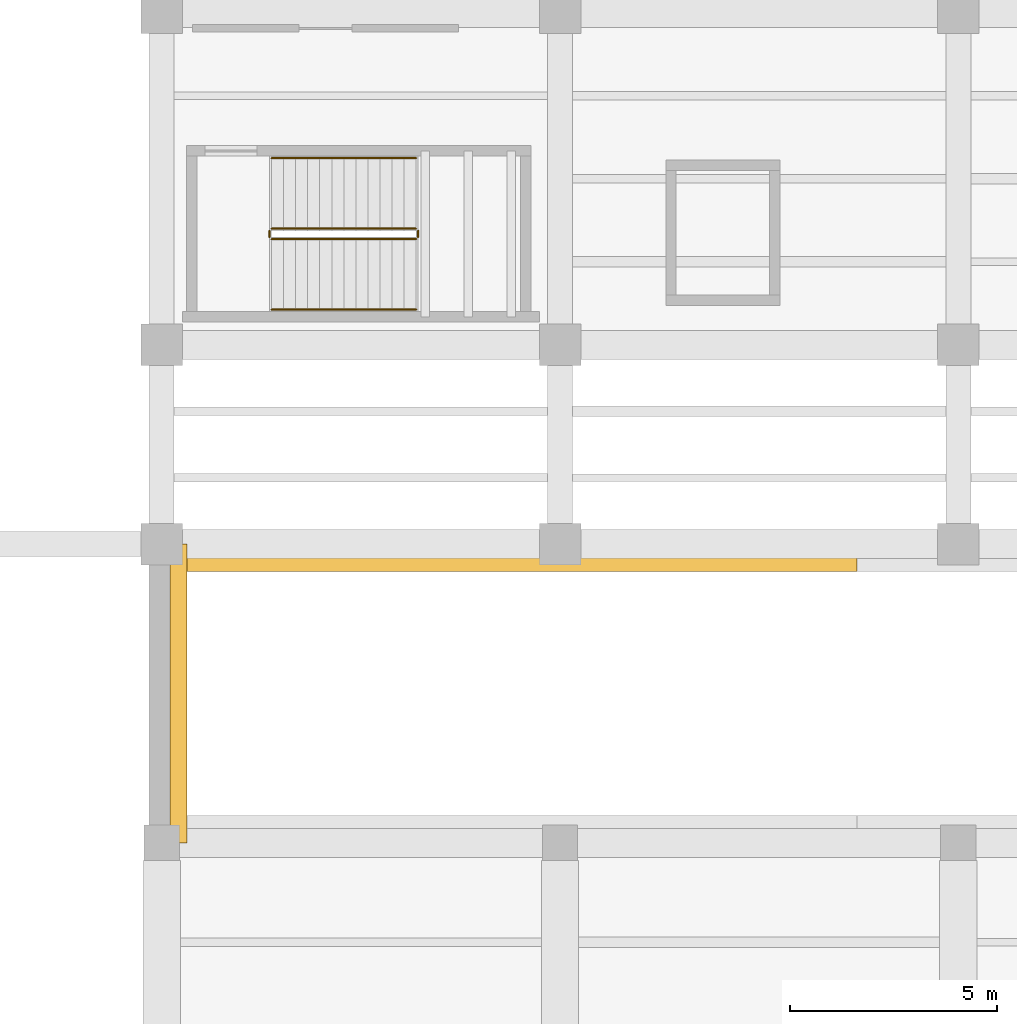
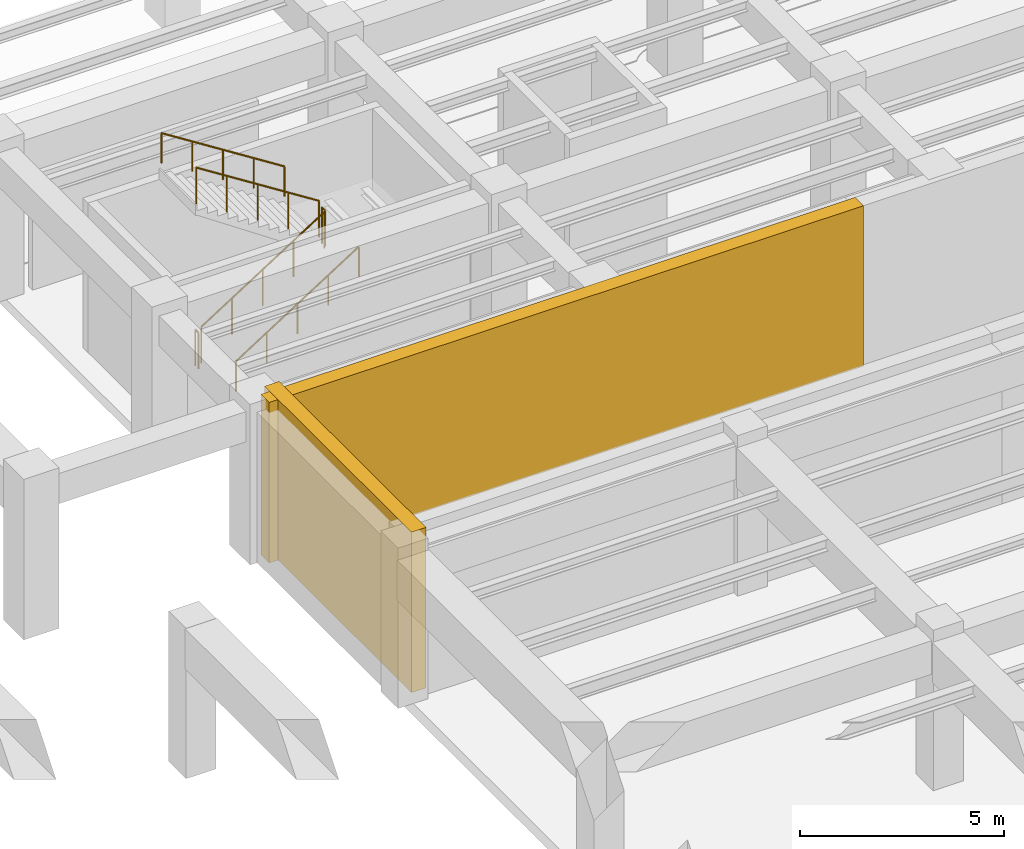
# One storey, part 39 of 45: 6 railings, 2 coverings.
"""IFC4 building model written with IfcOpenShell, lengths in metres."""

from ifc_helpers import new_model, si_unit, direction, frame, origin, origin_2d, place, context, subcontext, project, spatial, polyline, circle, outline, extrude, material, layer, layer_set, type_object, element, save


model = new_model("IFC4")

# Units and contexts
model_context = context("Model", 3, precision=1e-05, world=origin(), true_north=direction((0.0, 1.0)))
body_context = subcontext(model_context, "Body", "Model", "MODEL_VIEW")
ifc_project = project(units=[si_unit("LENGTHUNIT", "METRE"), si_unit("AREAUNIT", "SQUARE_METRE"), si_unit("VOLUMEUNIT", "CUBIC_METRE"), si_unit("PLANEANGLEUNIT", "RADIAN"), si_unit("MASSUNIT", "GRAM", prefix="KILO")], contexts=[model_context])

# Site, building, storey
site_placement = place(None, origin())
site = spatial("IfcSite", under=ifc_project, at=site_placement, CompositionType="ELEMENT")
building_placement = place(site_placement, origin())
building = spatial("IfcBuilding", under=site, at=building_placement, Name="Mavantir Sound Aquarium", CompositionType="ELEMENT")
storey_placement = place(building_placement, frame((0.0, 0.0, -4.800048828125)))
storey = spatial("IfcBuildingStorey", under=building, at=storey_placement, Name="B1", CompositionType="ELEMENT", Elevation=-4.800048828125)

# Coverings
ifc_material_1 = material(Name="Honed Coral-Limestone & Glazed Terracotta Rainscreen Cladding", Category="masonry")
ifc_layer = layer(ifc_material_1, 0.06005859375, Name="Honed Coral-Limestone & Glazed Terracotta Rainscreen Cladding")
ifc_layer_set = layer_set([ifc_layer], Name="Honed Coral-Limestone & Glazed Terracotta Rainscreen Cladding")
covering_type = type_object("IfcCoveringType", Name="COV-CLAD-TC", PredefinedType="CLADDING", material=ifc_layer_set)
covering_1_placement = place(storey_placement, origin())
element("IfcCovering", 1, at=covering_1_placement, inside=storey, type_object=covering_type, Name="B1 rusticated coral-stone plinth cladding 7", PredefinedType="CLADDING", context=body_context, shape_type="SweptSolid", body=[
    extrude(outline(polyline([(108.199951171875, 28.800048828125), (108.199951171875, 36.0), (108.610107421875, 36.0), (108.610107421875, 28.800048828125), (108.199951171875, 28.800048828125)])), origin(), (0.0, 0.0, 1.0), 4.800048828125),
])
covering_2_placement = place(storey_placement, origin())
element("IfcCovering", 2, at=covering_2_placement, inside=storey, type_object=covering_type, Name="B1 rusticated coral-stone plinth cladding 8", PredefinedType="CLADDING", context=body_context, shape_type="SweptSolid", body=[
    extrude(outline(polyline([(107.949951171875, 35.75), (124.762451171875, 35.75), (124.762451171875, 35.340087890625), (107.949951171875, 35.340087890625), (107.949951171875, 35.75)])), origin(), (0.0, 0.0, 1.0), 4.800048828125),
])

# Railings
ifc_material_2 = material(Name="Stainless Steel 316 and Laminated Glass Guardrail", Category="steel")
railing_type_1 = type_object("IfcRailingType", Name="RL-GUARD-110", PredefinedType="GUARDRAIL", material=ifc_material_2)
railing_1_placement = place(storey_placement, frame((110.64990234375, 43.35009765625, 0.1845703125)))
element("IfcRailing", 3, at=railing_1_placement, inside=storey, type_object=railing_type_1, Name="B1 ST4 stair guard 1", PredefinedType="GUARDRAIL", context=body_context, shape_type="SweptSolid", body=[
    extrude(circle(Radius=0.02392578125, at=origin_2d()), frame((0.0, 0.0, 1.076171875), z_axis=(0.843546938479, 0.0, 0.53705545578), x_axis=(0.0, 1.0, 0.0)), (0.0, 0.0, 1.0), 4.12548828125),
    extrude(circle(Radius=0.02099609375, at=origin_2d()), origin(), (0.0, 0.0, 1.0), 1.052001953125),
    extrude(circle(Radius=0.02099609375, at=origin_2d()), frame((0.8701171875, 0.0, 0.553955078125)), (0.0, 0.0, 1.0), 1.052001953125),
    extrude(circle(Radius=0.02099609375, at=origin_2d()), frame((1.739990234375, 0.0, 1.10791015625)), (0.0, 0.0, 1.0), 1.052001953125),
    extrude(circle(Radius=0.02099609375, at=origin_2d()), frame((2.60986328125, 0.0, 1.66162109375)), (0.0, 0.0, 1.0), 1.052001953125),
    extrude(circle(Radius=0.02099609375, at=origin_2d()), frame((3.47998046875, 0.0, 2.215576171875)), (0.0, 0.0, 1.0), 1.052001953125),
])
railing_2_placement = place(storey_placement, frame((114.179931640625, 43.39990234375, 2.400146484375)))
element("IfcRailing", 4, at=railing_2_placement, inside=storey, type_object=railing_type_1, Name="B1 ST4 stair guard 2", PredefinedType="GUARDRAIL", context=body_context, shape_type="SweptSolid", body=[
    extrude(circle(Radius=0.02392578125, at=origin_2d()), frame((0.0, 0.0, 1.076171875), z_axis=(0.0, 1.0, 0.0), x_axis=(-1.0, 0.0, 0.0)), (0.0, 0.0, 1.0), 0.150146484375),
    extrude(circle(Radius=0.02099609375, at=origin_2d()), origin(), (0.0, 0.0, 1.0), 1.052001953125),
    extrude(circle(Radius=0.02099609375, at=origin_2d()), frame((0.0, 0.150146484375, 0.0)), (0.0, 0.0, 1.0), 1.052001953125),
])
railing_3_placement = place(storey_placement, frame((114.1298828125, 43.60009765625, 2.584716796875)))
element("IfcRailing", 5, at=railing_3_placement, inside=storey, type_object=railing_type_1, Name="B1 ST4 stair guard 3", PredefinedType="GUARDRAIL", context=body_context, shape_type="SweptSolid", body=[
    extrude(circle(Radius=0.02392578125, at=origin_2d()), frame((0.0, 0.0, 1.076171875), z_axis=(-0.843573748531, 0.0, 0.537013343214), x_axis=(0.0, -1.0, 0.0)), (0.0, 0.0, 1.0), 4.125244140625),
    extrude(circle(Radius=0.02099609375, at=origin_2d()), origin(), (0.0, 0.0, 1.0), 1.052001953125),
    extrude(circle(Radius=0.02099609375, at=origin_2d()), frame((-0.8701171875, 0.0, 0.5537109375)), (0.0, 0.0, 1.0), 1.052001953125),
    extrude(circle(Radius=0.02099609375, at=origin_2d()), frame((-1.739990234375, 0.0, 1.107666015625)), (0.0, 0.0, 1.0), 1.052001953125),
    extrude(circle(Radius=0.02099609375, at=origin_2d()), frame((-2.60986328125, 0.0, 1.66162109375)), (0.0, 0.0, 1.0), 1.052001953125),
    extrude(circle(Radius=0.02099609375, at=origin_2d()), frame((-3.47998046875, 0.0, 2.21533203125)), (0.0, 0.0, 1.0), 1.052001953125),
])
railing_4_placement = place(storey_placement, frame((110.60009765625, 43.39990234375, 0.0)))
element("IfcRailing", 6, at=railing_4_placement, inside=storey, type_object=railing_type_1, Name="B1 ST4 stair guard 4", PredefinedType="GUARDRAIL", context=body_context, shape_type="SweptSolid", body=[
    extrude(circle(Radius=0.02392578125, at=origin_2d()), frame((0.0, 0.0, 1.076171875), z_axis=(0.0, 1.0, 0.0), x_axis=(-1.0, 0.0, 0.0)), (0.0, 0.0, 1.0), 0.150146484375),
    extrude(circle(Radius=0.02099609375, at=origin_2d()), origin(), (0.0, 0.0, 1.0), 1.052001953125),
    extrude(circle(Radius=0.02099609375, at=origin_2d()), frame((0.0, 0.150146484375, 0.0)), (0.0, 0.0, 1.0), 1.052001953125),
])
ifc_material_3 = material(Name="Brushed Stainless Steel 316 Handrail", Category="steel")
railing_type_2 = type_object("IfcRailingType", Name="RL-HR-90", PredefinedType="HANDRAIL", material=ifc_material_3)
railing_5_placement = place(storey_placement, frame((110.64990234375, 41.64990234375, 0.36962890625)))
element("IfcRailing", 7, at=railing_5_placement, inside=storey, type_object=railing_type_2, Name="B1 ST4 stair handrail 1", PredefinedType="HANDRAIL", context=body_context, shape_type="SweptSolid", body=[
    extrude(circle(Radius=0.02392578125, at=origin_2d()), frame((0.0, 0.0, 0.89111328125), z_axis=(0.843573748531, 0.0, 0.537013343214), x_axis=(0.0, 1.0, 0.0)), (0.0, 0.0, 1.0), 4.125244140625),
    extrude(circle(Radius=0.02099609375, at=origin_2d()), origin(), (0.0, 0.0, 1.0), 0.866943359375),
    extrude(circle(Radius=0.02099609375, at=origin_2d()), frame((0.8701171875, 0.0, 0.5537109375)), (0.0, 0.0, 1.0), 0.866943359375),
    extrude(circle(Radius=0.02099609375, at=origin_2d()), frame((1.739990234375, 0.0, 1.107666015625)), (0.0, 0.0, 1.0), 0.866943359375),
    extrude(circle(Radius=0.02099609375, at=origin_2d()), frame((2.60986328125, 0.0, 1.66162109375)), (0.0, 0.0, 1.0), 0.866943359375),
    extrude(circle(Radius=0.02099609375, at=origin_2d()), frame((3.47998046875, 0.0, 2.21533203125)), (0.0, 0.0, 1.0), 0.866943359375),
])
railing_6_placement = place(storey_placement, frame((114.1298828125, 45.300048828125, 2.769775390625)))
element("IfcRailing", 8, at=railing_6_placement, inside=storey, type_object=railing_type_2, Name="B1 ST4 stair handrail 2", PredefinedType="HANDRAIL", context=body_context, shape_type="SweptSolid", body=[
    extrude(circle(Radius=0.02392578125, at=origin_2d()), frame((0.0, 0.0, 0.89111328125), z_axis=(-0.843573748531, 0.0, 0.537013343214), x_axis=(0.0, -1.0, 0.0)), (0.0, 0.0, 1.0), 4.125244140625),
    extrude(circle(Radius=0.02099609375, at=origin_2d()), origin(), (0.0, 0.0, 1.0), 0.866943359375),
    extrude(circle(Radius=0.02099609375, at=origin_2d()), frame((-0.8701171875, 0.0, 0.5537109375)), (0.0, 0.0, 1.0), 0.866943359375),
    extrude(circle(Radius=0.02099609375, at=origin_2d()), frame((-1.739990234375, 0.0, 1.107666015625)), (0.0, 0.0, 1.0), 0.866943359375),
    extrude(circle(Radius=0.02099609375, at=origin_2d()), frame((-2.60986328125, 0.0, 1.66162109375)), (0.0, 0.0, 1.0), 0.866943359375),
    extrude(circle(Radius=0.02099609375, at=origin_2d()), frame((-3.47998046875, 0.0, 2.21533203125)), (0.0, 0.0, 1.0), 0.866943359375),
])

save(model, "model.ifc")
